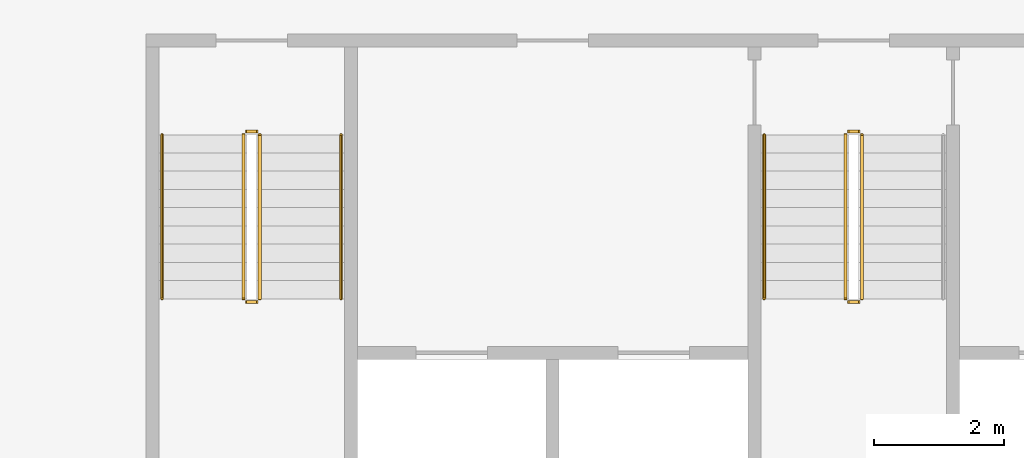
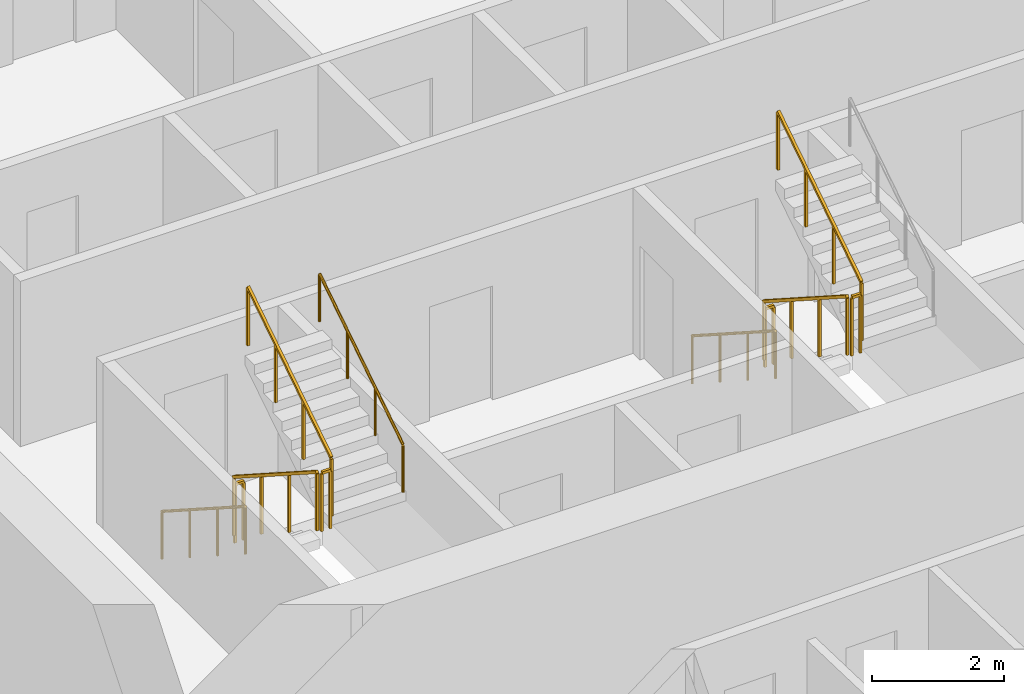
# One storey, part 14 of 16: 11 railings.
"""IFC4 building model written with IfcOpenShell, lengths in metres."""

from ifc_helpers import new_model, si_unit, direction, frame, origin, origin_2d, place, context, subcontext, project, spatial, rectangle, circle, extrude, material, type_object, element, save


model = new_model("IFC4")

# Units and contexts
model_context = context("Model", 3, precision=1e-05, world=origin(), true_north=direction((0.0, 1.0)))
body_context = subcontext(model_context, "Body", "Model", "MODEL_VIEW")
ifc_project = project(units=[si_unit("LENGTHUNIT", "METRE"), si_unit("AREAUNIT", "SQUARE_METRE"), si_unit("VOLUMEUNIT", "CUBIC_METRE"), si_unit("PLANEANGLEUNIT", "RADIAN"), si_unit("MASSUNIT", "GRAM", prefix="KILO")], contexts=[model_context])

# Site, building, storey
site_placement = place(None, origin())
site = spatial("IfcSite", under=ifc_project, at=site_placement, CompositionType="ELEMENT")
building_placement = place(site_placement, origin())
building = spatial("IfcBuilding", under=site, at=building_placement, Name="Mangrove Gate Tower", CompositionType="ELEMENT")
storey_placement = place(building_placement, frame((0.0, 0.0, 231.10009765625)))
storey = spatial("IfcBuildingStorey", under=building, at=storey_placement, Name="L58", CompositionType="ELEMENT", Elevation=231.10009765625)

# Railings
ifc_material_1 = material(Name="Stainless steel 316", Category="steel")
railing_type_1 = type_object("IfcRailingType", Name="Core stair guard 1100", PredefinedType="GUARDRAIL", material=ifc_material_1)
railing_1_placement = place(storey_placement, frame((-9.39990234375, -4.64990234375, 0.179931640625)))
element("IfcRailing", 1, at=railing_1_placement, inside=storey, type_object=railing_type_1, Name="L58 ST1 stair guard 1", PredefinedType="GUARDRAIL", context=body_context, shape_type="SweptSolid", body=[
    extrude(rectangle(XDim=0.048095703125, YDim=0.048095703125, at=origin_2d()), frame((0.0, 0.0, 1.076171875), z_axis=(0.0, -0.841199657755, 0.540724639528), x_axis=(1.0, 0.0, 0.0)), (0.0, 0.0, 1.0), 2.995849609375),
    extrude(rectangle(XDim=0.0419921875, YDim=0.0419921875, at=origin_2d()), origin(), (0.0, 0.0, 1.0), 1.052001953125),
    extrude(rectangle(XDim=0.0419921875, YDim=0.0419921875, at=origin_2d()), frame((0.0, -0.840087890625, 0.5400390625)), (0.0, 0.0, 1.0), 1.052001953125),
    extrude(rectangle(XDim=0.0419921875, YDim=0.0419921875, at=origin_2d()), frame((0.0, -1.679931640625, 1.079833984375)), (0.0, 0.0, 1.0), 1.052001953125),
    extrude(rectangle(XDim=0.0419921875, YDim=0.0419921875, at=origin_2d()), frame((0.0, -2.52001953125, 1.619873046875)), (0.0, 0.0, 1.0), 1.052001953125),
])
railing_2_placement = place(storey_placement, frame((-9.35009765625, -7.219970703125, 1.7998046875)))
element("IfcRailing", 2, at=railing_2_placement, inside=storey, type_object=railing_type_1, Name="L58 ST1 stair guard 2", PredefinedType="GUARDRAIL", context=body_context, shape_type="SweptSolid", body=[
    extrude(rectangle(XDim=0.048095703125, YDim=0.048095703125, at=origin_2d()), frame((0.0, 0.0, 1.076171875), z_axis=(1.0, 0.0, 0.0), x_axis=(0.0, 1.0, 0.0)), (0.0, 0.0, 1.0), 0.150146484375),
    extrude(rectangle(XDim=0.0419921875, YDim=0.0419921875, at=origin_2d()), origin(), (0.0, 0.0, 1.0), 1.052001953125),
    extrude(rectangle(XDim=0.0419921875, YDim=0.0419921875, at=origin_2d()), frame((0.150146484375, 0.0, 0.0)), (0.0, 0.0, 1.0), 1.052001953125),
])
railing_3_placement = place(storey_placement, frame((-9.14990234375, -7.169921875, 1.97998046875)))
element("IfcRailing", 3, at=railing_3_placement, inside=storey, type_object=railing_type_1, Name="L58 ST1 stair guard 3", PredefinedType="GUARDRAIL", context=body_context, shape_type="SweptSolid", body=[
    extrude(rectangle(XDim=0.048095703125, YDim=0.048095703125, at=origin_2d()), frame((0.0, 0.0, 1.076171875), z_axis=(0.0, 0.841199657755, 0.540724639528), x_axis=(-1.0, 0.0, 0.0)), (0.0, 0.0, 1.0), 2.995849609375),
    extrude(rectangle(XDim=0.0419921875, YDim=0.0419921875, at=origin_2d()), origin(), (0.0, 0.0, 1.0), 1.052001953125),
    extrude(rectangle(XDim=0.0419921875, YDim=0.0419921875, at=origin_2d()), frame((0.0, 0.840087890625, 0.5400390625)), (0.0, 0.0, 1.0), 1.052001953125),
    extrude(rectangle(XDim=0.0419921875, YDim=0.0419921875, at=origin_2d()), frame((0.0, 1.679931640625, 1.079833984375)), (0.0, 0.0, 1.0), 1.052001953125),
    extrude(rectangle(XDim=0.0419921875, YDim=0.0419921875, at=origin_2d()), frame((0.0, 2.52001953125, 1.619873046875)), (0.0, 0.0, 1.0), 1.052001953125),
])
railing_4_placement = place(storey_placement, frame((-9.35009765625, -4.60009765625, 0.0)))
element("IfcRailing", 4, at=railing_4_placement, inside=storey, type_object=railing_type_1, Name="L58 ST1 stair guard 4", PredefinedType="GUARDRAIL", context=body_context, shape_type="SweptSolid", body=[
    extrude(rectangle(XDim=0.048095703125, YDim=0.048095703125, at=origin_2d()), frame((0.0, 0.0, 1.076171875), z_axis=(1.0, 0.0, 0.0), x_axis=(0.0, 1.0, 0.0)), (0.0, 0.0, 1.0), 0.150146484375),
    extrude(rectangle(XDim=0.0419921875, YDim=0.0419921875, at=origin_2d()), origin(), (0.0, 0.0, 1.0), 1.052001953125),
    extrude(rectangle(XDim=0.0419921875, YDim=0.0419921875, at=origin_2d()), frame((0.150146484375, 0.0, 0.0)), (0.0, 0.0, 1.0), 1.052001953125),
])
railing_5_placement = place(storey_placement, frame((-0.14990234375, -4.64990234375, 0.179931640625)))
element("IfcRailing", 5, at=railing_5_placement, inside=storey, type_object=railing_type_1, Name="L58 ST2 stair guard 1", PredefinedType="GUARDRAIL", context=body_context, shape_type="SweptSolid", body=[
    extrude(rectangle(XDim=0.048095703125, YDim=0.048095703125, at=origin_2d()), frame((0.0, 0.0, 1.076171875), z_axis=(0.0, -0.841199657755, 0.540724639528), x_axis=(1.0, 0.0, 0.0)), (0.0, 0.0, 1.0), 2.995849609375),
    extrude(rectangle(XDim=0.0419921875, YDim=0.0419921875, at=origin_2d()), origin(), (0.0, 0.0, 1.0), 1.052001953125),
    extrude(rectangle(XDim=0.0419921875, YDim=0.0419921875, at=origin_2d()), frame((0.0, -0.840087890625, 0.5400390625)), (0.0, 0.0, 1.0), 1.052001953125),
    extrude(rectangle(XDim=0.0419921875, YDim=0.0419921875, at=origin_2d()), frame((0.0, -1.679931640625, 1.079833984375)), (0.0, 0.0, 1.0), 1.052001953125),
    extrude(rectangle(XDim=0.0419921875, YDim=0.0419921875, at=origin_2d()), frame((0.0, -2.52001953125, 1.619873046875)), (0.0, 0.0, 1.0), 1.052001953125),
])
railing_6_placement = place(storey_placement, frame((-0.10009765625, -7.219970703125, 1.7998046875)))
element("IfcRailing", 6, at=railing_6_placement, inside=storey, type_object=railing_type_1, Name="L58 ST2 stair guard 2", PredefinedType="GUARDRAIL", context=body_context, shape_type="SweptSolid", body=[
    extrude(rectangle(XDim=0.048095703125, YDim=0.048095703125, at=origin_2d()), frame((0.0, 0.0, 1.076171875), z_axis=(1.0, 0.0, 0.0), x_axis=(0.0, 1.0, 0.0)), (0.0, 0.0, 1.0), 0.150146484375),
    extrude(rectangle(XDim=0.0419921875, YDim=0.0419921875, at=origin_2d()), origin(), (0.0, 0.0, 1.0), 1.052001953125),
    extrude(rectangle(XDim=0.0419921875, YDim=0.0419921875, at=origin_2d()), frame((0.150146484375, 0.0, 0.0)), (0.0, 0.0, 1.0), 1.052001953125),
])
railing_7_placement = place(storey_placement, frame((0.10009765625, -7.169921875, 1.97998046875)))
element("IfcRailing", 7, at=railing_7_placement, inside=storey, type_object=railing_type_1, Name="L58 ST2 stair guard 3", PredefinedType="GUARDRAIL", context=body_context, shape_type="SweptSolid", body=[
    extrude(rectangle(XDim=0.048095703125, YDim=0.048095703125, at=origin_2d()), frame((0.0, 0.0, 1.076171875), z_axis=(0.0, 0.841199657755, 0.540724639528), x_axis=(-1.0, 0.0, 0.0)), (0.0, 0.0, 1.0), 2.995849609375),
    extrude(rectangle(XDim=0.0419921875, YDim=0.0419921875, at=origin_2d()), origin(), (0.0, 0.0, 1.0), 1.052001953125),
    extrude(rectangle(XDim=0.0419921875, YDim=0.0419921875, at=origin_2d()), frame((0.0, 0.840087890625, 0.5400390625)), (0.0, 0.0, 1.0), 1.052001953125),
    extrude(rectangle(XDim=0.0419921875, YDim=0.0419921875, at=origin_2d()), frame((0.0, 1.679931640625, 1.079833984375)), (0.0, 0.0, 1.0), 1.052001953125),
    extrude(rectangle(XDim=0.0419921875, YDim=0.0419921875, at=origin_2d()), frame((0.0, 2.52001953125, 1.619873046875)), (0.0, 0.0, 1.0), 1.052001953125),
])
railing_8_placement = place(storey_placement, frame((-0.10009765625, -4.60009765625, 0.0)))
element("IfcRailing", 8, at=railing_8_placement, inside=storey, type_object=railing_type_1, Name="L58 ST2 stair guard 4", PredefinedType="GUARDRAIL", context=body_context, shape_type="SweptSolid", body=[
    extrude(rectangle(XDim=0.048095703125, YDim=0.048095703125, at=origin_2d()), frame((0.0, 0.0, 1.076171875), z_axis=(1.0, 0.0, 0.0), x_axis=(0.0, 1.0, 0.0)), (0.0, 0.0, 1.0), 0.150146484375),
    extrude(rectangle(XDim=0.0419921875, YDim=0.0419921875, at=origin_2d()), origin(), (0.0, 0.0, 1.0), 1.052001953125),
    extrude(rectangle(XDim=0.0419921875, YDim=0.0419921875, at=origin_2d()), frame((0.150146484375, 0.0, 0.0)), (0.0, 0.0, 1.0), 1.052001953125),
])
ifc_material_2 = material(Name="Stainless steel 316", Category="steel")
railing_type_2 = type_object("IfcRailingType", Name="Core stair handrail 900", PredefinedType="HANDRAIL", material=ifc_material_2)
railing_9_placement = place(storey_placement, frame((-10.64990234375, -4.64990234375, 0.179931640625)))
element("IfcRailing", 9, at=railing_9_placement, inside=storey, type_object=railing_type_2, Name="L58 ST1 stair handrail 1", PredefinedType="HANDRAIL", context=body_context, shape_type="SweptSolid", body=[
    extrude(circle(Radius=0.02392578125, at=origin_2d()), frame((0.0, 0.0, 0.8759765625), z_axis=(0.0, -0.841199657755, 0.540724639528), x_axis=(1.0, 0.0, 0.0)), (0.0, 0.0, 1.0), 2.995849609375),
    extrude(circle(Radius=0.02099609375, at=origin_2d()), origin(), (0.0, 0.0, 1.0), 0.851806640625),
    extrude(circle(Radius=0.02099609375, at=origin_2d()), frame((0.0, -0.840087890625, 0.5400390625)), (0.0, 0.0, 1.0), 0.851806640625),
    extrude(circle(Radius=0.02099609375, at=origin_2d()), frame((0.0, -1.679931640625, 1.079833984375)), (0.0, 0.0, 1.0), 0.851806640625),
    extrude(circle(Radius=0.02099609375, at=origin_2d()), frame((0.0, -2.52001953125, 1.619873046875)), (0.0, 0.0, 1.0), 0.851806640625),
])
railing_10_placement = place(storey_placement, frame((-7.89990234375, -7.169921875, 1.97998046875)))
element("IfcRailing", 10, at=railing_10_placement, inside=storey, type_object=railing_type_2, Name="L58 ST1 stair handrail 2", PredefinedType="HANDRAIL", context=body_context, shape_type="SweptSolid", body=[
    extrude(circle(Radius=0.02392578125, at=origin_2d()), frame((0.0, 0.0, 0.8759765625), z_axis=(0.0, 0.841199657755, 0.540724639528), x_axis=(-1.0, 0.0, 0.0)), (0.0, 0.0, 1.0), 2.995849609375),
    extrude(circle(Radius=0.02099609375, at=origin_2d()), origin(), (0.0, 0.0, 1.0), 0.851806640625),
    extrude(circle(Radius=0.02099609375, at=origin_2d()), frame((0.0, 0.840087890625, 0.5400390625)), (0.0, 0.0, 1.0), 0.851806640625),
    extrude(circle(Radius=0.02099609375, at=origin_2d()), frame((0.0, 1.679931640625, 1.079833984375)), (0.0, 0.0, 1.0), 0.851806640625),
    extrude(circle(Radius=0.02099609375, at=origin_2d()), frame((0.0, 2.52001953125, 1.619873046875)), (0.0, 0.0, 1.0), 0.851806640625),
])
railing_11_placement = place(storey_placement, frame((-1.39990234375, -4.64990234375, 0.179931640625)))
element("IfcRailing", 11, at=railing_11_placement, inside=storey, type_object=railing_type_2, Name="L58 ST2 stair handrail 1", PredefinedType="HANDRAIL", context=body_context, shape_type="SweptSolid", body=[
    extrude(circle(Radius=0.02392578125, at=origin_2d()), frame((0.0, 0.0, 0.8759765625), z_axis=(0.0, -0.841199657755, 0.540724639528), x_axis=(1.0, 0.0, 0.0)), (0.0, 0.0, 1.0), 2.995849609375),
    extrude(circle(Radius=0.02099609375, at=origin_2d()), origin(), (0.0, 0.0, 1.0), 0.851806640625),
    extrude(circle(Radius=0.02099609375, at=origin_2d()), frame((0.0, -0.840087890625, 0.5400390625)), (0.0, 0.0, 1.0), 0.851806640625),
    extrude(circle(Radius=0.02099609375, at=origin_2d()), frame((0.0, -1.679931640625, 1.079833984375)), (0.0, 0.0, 1.0), 0.851806640625),
    extrude(circle(Radius=0.02099609375, at=origin_2d()), frame((0.0, -2.52001953125, 1.619873046875)), (0.0, 0.0, 1.0), 0.851806640625),
])

save(model, "model.ifc")
